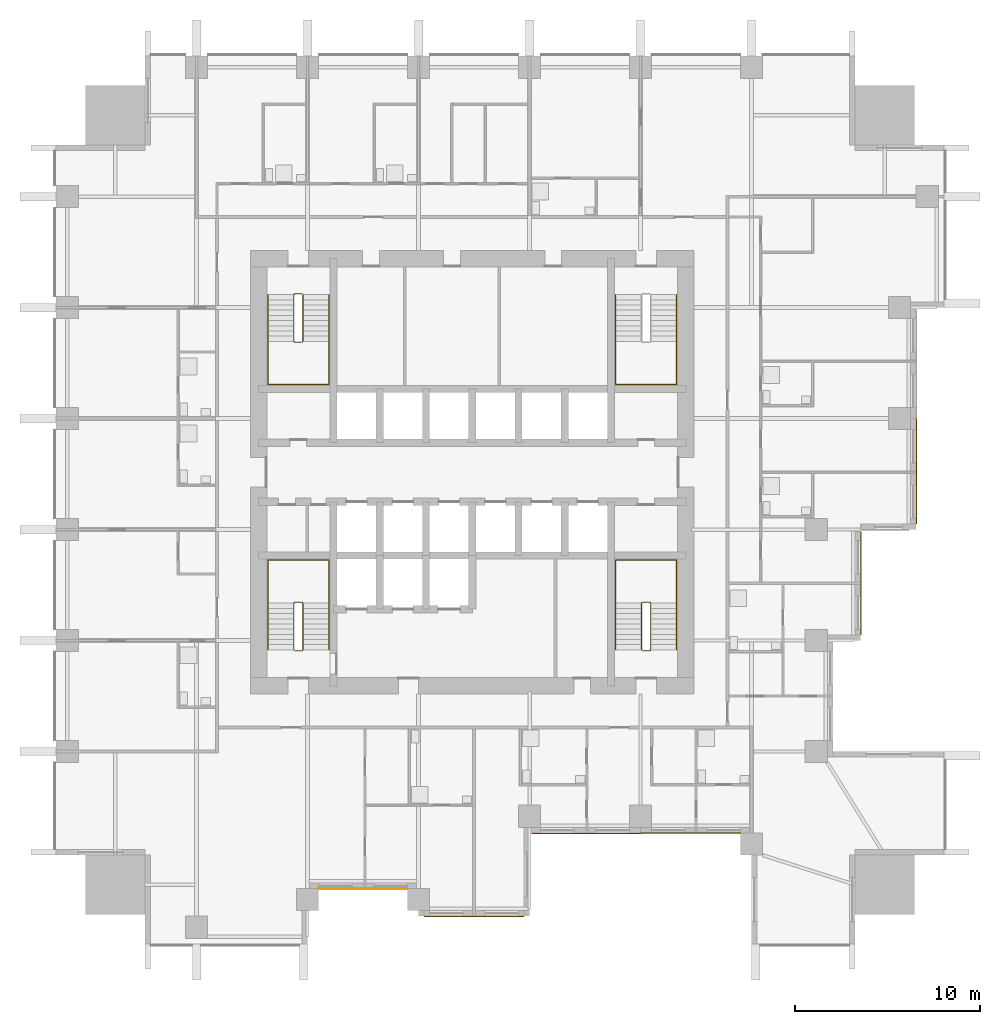
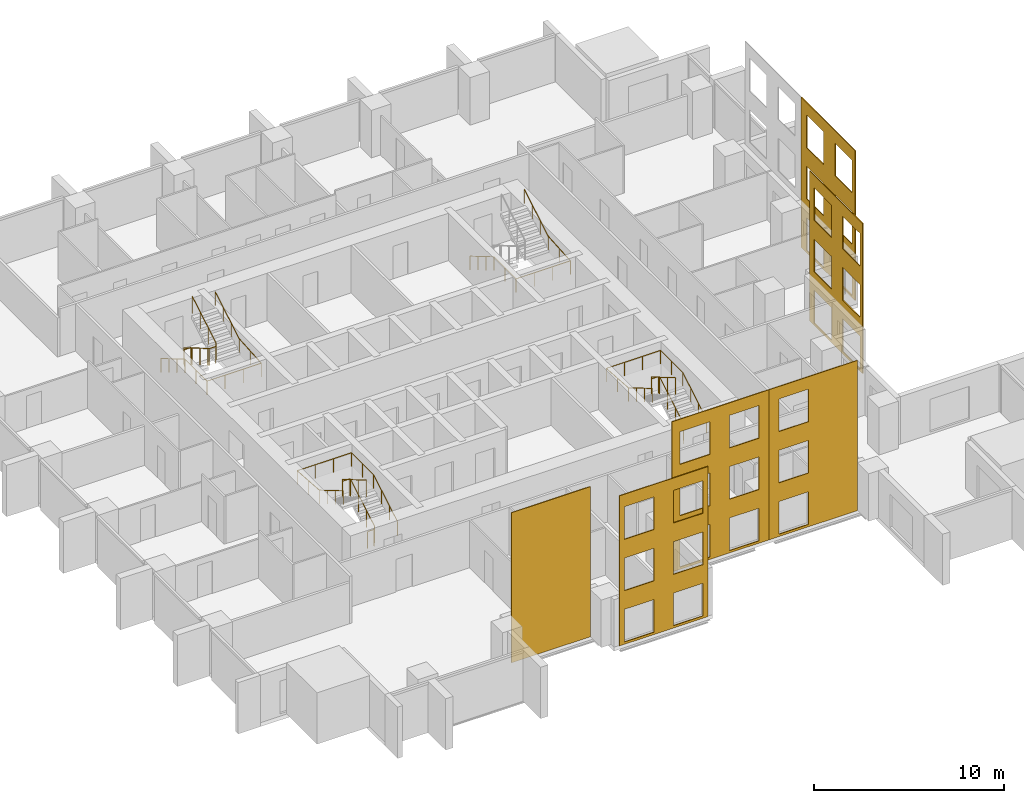
# One storey, part 9 of 11: 7 railings, 6 coverings.
"""IFC4 building model written with IfcOpenShell, lengths in metres."""

from ifc_helpers import new_model, si_unit, direction, frame, origin, origin_2d, place, context, subcontext, project, spatial, polyline, circle, outline, extrude, material, layer, layer_set, type_object, element, save


model = new_model("IFC4")

# Units and contexts
model_context = context("Model", 3, precision=1e-05, world=origin(), true_north=direction((0.0, 1.0)))
body_context = subcontext(model_context, "Body", "Model", "MODEL_VIEW")
ifc_project = project(units=[si_unit("LENGTHUNIT", "METRE"), si_unit("AREAUNIT", "SQUARE_METRE"), si_unit("VOLUMEUNIT", "CUBIC_METRE"), si_unit("PLANEANGLEUNIT", "RADIAN"), si_unit("MASSUNIT", "GRAM", prefix="KILO")], contexts=[model_context])

# Site, building, storey
site_placement = place(None, origin())
site = spatial("IfcSite", under=ifc_project, at=site_placement, CompositionType="ELEMENT")
building_placement = place(site_placement, origin())
building = spatial("IfcBuilding", under=site, at=building_placement, Name="Amberfall Residences", CompositionType="ELEMENT")
storey_placement = place(building_placement, frame((0.0, 0.0, 43.300048828125)))
storey = spatial("IfcBuildingStorey", under=building, at=storey_placement, Name="L11", CompositionType="ELEMENT", Elevation=43.300048828125)

# Coverings
ifc_material_1 = material(Name="Pale limestone cladding", Category="masonry")
ifc_layer = layer(ifc_material_1, 0.050048828125)
ifc_layer_set = layer_set([ifc_layer], Name="Limestone fascia 50")
covering_type = type_object("IfcCoveringType", Name="Limestone fascia 50", PredefinedType="CLADDING", material=ifc_layer_set)
covering_1_placement = place(storey_placement, frame((98.5, 42.699951171875, 9.64990234375), z_axis=(-1.0, 0.0, 0.0), x_axis=(0.0, 1.0, 0.0)))
element("IfcCovering", 1, at=covering_1_placement, inside=storey, type_object=covering_type, Name="Pale limestone cladding L11-L13 E", PredefinedType="CLADDING", context=body_context, shape_type="SweptSolid", body=[
    extrude(outline(polyline([(0.0, 0.0), (5.699951171875, 0.0), (5.699951171875, 9.64990234375), (0.0, 9.64990234375), (0.0, 0.0)]), holes=[polyline([(0.300048828125, 7.39990234375), (2.10009765625, 7.39990234375), (2.10009765625, 9.5), (0.300048828125, 9.5), (0.300048828125, 7.39990234375)]), polyline([(3.300048828125, 7.39990234375), (5.10009765625, 7.39990234375), (5.10009765625, 9.5), (3.300048828125, 9.5), (3.300048828125, 7.39990234375)]), polyline([(0.300048828125, 4.099853515625), (2.10009765625, 4.099853515625), (2.10009765625, 6.199951171875), (0.300048828125, 6.199951171875), (0.300048828125, 4.099853515625)]), polyline([(3.300048828125, 4.099853515625), (5.10009765625, 4.099853515625), (5.10009765625, 6.199951171875), (3.300048828125, 6.199951171875), (3.300048828125, 4.099853515625)]), polyline([(0.300048828125, 0.800048828125), (2.10009765625, 0.800048828125), (2.10009765625, 2.89990234375), (0.300048828125, 2.89990234375), (0.300048828125, 0.800048828125)]), polyline([(3.300048828125, 0.800048828125), (5.10009765625, 0.800048828125), (5.10009765625, 2.89990234375), (3.300048828125, 2.89990234375), (3.300048828125, 0.800048828125)])]), origin(), (0.0, 0.0, -1.0), 0.050048828125),
])
covering_2_placement = place(storey_placement, frame((95.5, 36.699951171875, 9.64990234375), z_axis=(-1.0, 0.0, 0.0), x_axis=(0.0, 1.0, 0.0)))
element("IfcCovering", 2, at=covering_2_placement, inside=storey, type_object=covering_type, Name="Pale limestone cladding L11-L13 E", PredefinedType="CLADDING", context=body_context, shape_type="SweptSolid", body=[
    extrude(outline(polyline([(0.0, 0.0), (5.610107421875, 0.0), (5.610107421875, 9.64990234375), (0.0, 9.64990234375), (0.0, 0.0)]), holes=[polyline([(0.300048828125, 7.39990234375), (2.10009765625, 7.39990234375), (2.10009765625, 9.5), (0.300048828125, 9.5), (0.300048828125, 7.39990234375)]), polyline([(3.300048828125, 7.39990234375), (5.10009765625, 7.39990234375), (5.10009765625, 9.5), (3.300048828125, 9.5), (3.300048828125, 7.39990234375)]), polyline([(0.300048828125, 4.099853515625), (2.10009765625, 4.099853515625), (2.10009765625, 6.199951171875), (0.300048828125, 6.199951171875), (0.300048828125, 4.099853515625)]), polyline([(3.300048828125, 4.099853515625), (5.10009765625, 4.099853515625), (5.10009765625, 6.199951171875), (3.300048828125, 6.199951171875), (3.300048828125, 4.099853515625)]), polyline([(0.300048828125, 0.800048828125), (2.10009765625, 0.800048828125), (2.10009765625, 2.89990234375), (0.300048828125, 2.89990234375), (0.300048828125, 0.800048828125)]), polyline([(3.300048828125, 0.800048828125), (5.10009765625, 0.800048828125), (5.10009765625, 2.89990234375), (3.300048828125, 2.89990234375), (3.300048828125, 0.800048828125)])]), origin(), (0.0, 0.0, -1.0), 0.050048828125),
])
covering_3_placement = place(storey_placement, frame((66.201904296875, 23.0, 9.64990234375), z_axis=(0.0, 1.0, 0.0), x_axis=(1.0, 0.0, 0.0)))
element("IfcCovering", 3, at=covering_3_placement, inside=storey, type_object=covering_type, Name="Pale limestone cladding L11-L13 S", PredefinedType="CLADDING", context=body_context, shape_type="SweptSolid", body=[
    extrude(outline(polyline([(0.0, 0.0), (4.796142578125, 0.0), (4.796142578125, 9.64990234375), (0.0, 9.64990234375), (0.0, 0.0)])), origin(), (0.0, 0.0, -1.0), 0.050048828125),
])
covering_4_placement = place(storey_placement, frame((71.89990234375, 21.5, 9.64990234375), z_axis=(0.0, 1.0, 0.0), x_axis=(1.0, 0.0, 0.0)))
element("IfcCovering", 4, at=covering_4_placement, inside=storey, type_object=covering_type, Name="Pale limestone cladding L11-L13 S", PredefinedType="CLADDING", context=body_context, shape_type="SweptSolid", body=[
    extrude(outline(polyline([(0.0, 0.0), (5.400146484375, 0.0), (5.400146484375, 9.64990234375), (0.0, 9.64990234375), (0.0, 0.0)]), holes=[polyline([(0.300048828125, 7.39990234375), (2.10009765625, 7.39990234375), (2.10009765625, 9.5), (0.300048828125, 9.5), (0.300048828125, 7.39990234375)]), polyline([(3.300048828125, 7.39990234375), (5.10009765625, 7.39990234375), (5.10009765625, 9.5), (3.300048828125, 9.5), (3.300048828125, 7.39990234375)]), polyline([(0.300048828125, 4.099853515625), (2.10009765625, 4.099853515625), (2.10009765625, 6.199951171875), (0.300048828125, 6.199951171875), (0.300048828125, 4.099853515625)]), polyline([(3.300048828125, 4.099853515625), (5.10009765625, 4.099853515625), (5.10009765625, 6.199951171875), (3.300048828125, 6.199951171875), (3.300048828125, 4.099853515625)]), polyline([(0.300048828125, 0.800048828125), (2.10009765625, 0.800048828125), (2.10009765625, 2.89990234375), (0.300048828125, 2.89990234375), (0.300048828125, 0.800048828125)]), polyline([(3.300048828125, 0.800048828125), (5.10009765625, 0.800048828125), (5.10009765625, 2.89990234375), (3.300048828125, 2.89990234375), (3.300048828125, 0.800048828125)])]), origin(), (0.0, 0.0, -1.0), 0.050048828125),
])
covering_5_placement = place(storey_placement, frame((77.68994140625, 26.0, 9.64990234375), z_axis=(0.0, 1.0, 0.0), x_axis=(1.0, 0.0, 0.0)))
element("IfcCovering", 5, at=covering_5_placement, inside=storey, type_object=covering_type, Name="Pale limestone cladding L11-L13 S", PredefinedType="CLADDING", context=body_context, shape_type="SweptSolid", body=[
    extrude(outline(polyline([(0.0, 0.0), (5.91015625, 0.0), (5.91015625, 9.64990234375), (0.0, 9.64990234375), (0.0, 0.0)]), holes=[polyline([(0.510009765625, 7.39990234375), (2.31005859375, 7.39990234375), (2.31005859375, 9.5), (0.510009765625, 9.5), (0.510009765625, 7.39990234375)]), polyline([(3.510009765625, 7.39990234375), (5.31005859375, 7.39990234375), (5.31005859375, 9.5), (3.510009765625, 9.5), (3.510009765625, 7.39990234375)]), polyline([(0.510009765625, 4.099853515625), (2.31005859375, 4.099853515625), (2.31005859375, 6.199951171875), (0.510009765625, 6.199951171875), (0.510009765625, 4.099853515625)]), polyline([(3.510009765625, 4.099853515625), (5.31005859375, 4.099853515625), (5.31005859375, 6.199951171875), (3.510009765625, 6.199951171875), (3.510009765625, 4.099853515625)]), polyline([(0.510009765625, 0.800048828125), (2.31005859375, 0.800048828125), (2.31005859375, 2.89990234375), (0.510009765625, 2.89990234375), (0.510009765625, 0.800048828125)]), polyline([(3.510009765625, 0.800048828125), (5.31005859375, 0.800048828125), (5.31005859375, 2.89990234375), (3.510009765625, 2.89990234375), (3.510009765625, 0.800048828125)])]), origin(), (0.0, 0.0, -1.0), 0.050048828125),
])
covering_6_placement = place(storey_placement, frame((83.60009765625, 26.0, 9.64990234375), z_axis=(0.0, 1.0, 0.0), x_axis=(1.0, 0.0, 0.0)))
element("IfcCovering", 6, at=covering_6_placement, inside=storey, type_object=covering_type, Name="Pale limestone cladding L11-L13 S", PredefinedType="CLADDING", context=body_context, shape_type="SweptSolid", body=[
    extrude(outline(polyline([(0.0, 0.0), (5.39794921875, 0.0), (5.39794921875, 9.64990234375), (0.0, 9.64990234375), (0.0, 0.0)]), holes=[polyline([(0.599853515625, 7.39990234375), (2.39990234375, 7.39990234375), (2.39990234375, 9.5), (0.599853515625, 9.5), (0.599853515625, 7.39990234375)]), polyline([(0.599853515625, 4.099853515625), (2.39990234375, 4.099853515625), (2.39990234375, 6.199951171875), (0.599853515625, 6.199951171875), (0.599853515625, 4.099853515625)]), polyline([(0.599853515625, 0.800048828125), (2.39990234375, 0.800048828125), (2.39990234375, 2.89990234375), (0.599853515625, 2.89990234375), (0.599853515625, 0.800048828125)])]), origin(), (0.0, 0.0, -1.0), 0.050048828125),
])

# Railings
ifc_material_2 = material(Name="Stainless steel 316", Category="steel")
railing_type_1 = type_object("IfcRailingType", Name="Stair guard 1100", PredefinedType="GUARDRAIL", material=ifc_material_2)
railing_1_placement = place(storey_placement, frame((64.89990234375, 35.85009765625, 0.0)))
element("IfcRailing", 7, at=railing_1_placement, inside=storey, type_object=railing_type_1, Name="L11 stair 1 guard", PredefinedType="GUARDRAIL", context=body_context, shape_type="SweptSolid", body=[
    extrude(circle(Radius=0.02392578125, at=origin_2d()), frame((0.0, 0.0, 1.076171875), z_axis=(1.0, 0.0, 0.0), x_axis=(0.0, 1.0, 0.0)), (0.0, 0.0, 1.0), 0.400146484375),
    extrude(circle(Radius=0.02392578125, at=origin_2d()), frame((0.400146484375, 0.0, 1.076171875), z_axis=(0.278810427259, 0.277450376394, 0.919394384522), x_axis=(-0.705375805398, 0.708833529934, 0.0)), (0.0, 0.0, 1.0), 0.179443359375),
    extrude(circle(Radius=0.02392578125, at=origin_2d()), frame((0.4501953125, 0.0498046875, 1.2412109375), z_axis=(0.0, 0.861560626758, 0.507654692109), x_axis=(-1.0, 0.0, 0.0)), (0.0, 0.0, 1.0), 2.925048828125),
    extrude(circle(Radius=0.02392578125, at=origin_2d()), frame((0.4501953125, 2.56982421875, 2.72607421875), z_axis=(-0.707106781187, 0.707106781187, 0.0), x_axis=(-0.707106781187, -0.707106781187, 0.0)), (0.0, 0.0, 1.0), 0.07080078125),
    extrude(circle(Radius=0.02392578125, at=origin_2d()), frame((0.400146484375, 2.619873046875, 2.72607421875), z_axis=(-1.0, 0.0, 0.0), x_axis=(0.0, -1.0, 0.0)), (0.0, 0.0, 1.0), 0.400146484375),
    extrude(circle(Radius=0.02392578125, at=origin_2d()), frame((0.0, 2.619873046875, 2.72607421875), z_axis=(-0.277450376394, -0.278810427259, 0.919394384522), x_axis=(0.708833529934, -0.705375805398, 0.0)), (0.0, 0.0, 1.0), 0.179443359375),
    extrude(circle(Radius=0.02392578125, at=origin_2d()), frame((-0.0498046875, 2.56982421875, 2.89111328125), z_axis=(0.0, -0.86152411907, 0.507716645641), x_axis=(1.0, 0.0, 0.0)), (0.0, 0.0, 1.0), 2.925048828125),
    extrude(circle(Radius=0.02099609375, at=origin_2d()), origin(), (0.0, 0.0, 1.0), 1.052001953125),
    extrude(circle(Radius=0.02099609375, at=origin_2d()), frame((0.400146484375, 0.0, 0.0)), (0.0, 0.0, 1.0), 1.052001953125),
    extrude(circle(Radius=0.02099609375, at=origin_2d()), frame((0.4501953125, 0.0498046875, 0.1650390625)), (0.0, 0.0, 1.0), 1.052001953125),
    extrude(circle(Radius=0.02099609375, at=origin_2d()), frame((0.4501953125, 0.889892578125, 0.659912109375)), (0.0, 0.0, 1.0), 1.052001953125),
    extrude(circle(Radius=0.02099609375, at=origin_2d()), frame((0.4501953125, 1.729736328125, 1.155029296875)), (0.0, 0.0, 1.0), 1.052001953125),
    extrude(circle(Radius=0.02099609375, at=origin_2d()), frame((0.4501953125, 2.56982421875, 1.64990234375)), (0.0, 0.0, 1.0), 1.052001953125),
    extrude(circle(Radius=0.02099609375, at=origin_2d()), frame((0.400146484375, 2.619873046875, 1.64990234375)), (0.0, 0.0, 1.0), 1.052001953125),
    extrude(circle(Radius=0.02099609375, at=origin_2d()), frame((0.0, 2.619873046875, 1.64990234375)), (0.0, 0.0, 1.0), 1.052001953125),
    extrude(circle(Radius=0.02099609375, at=origin_2d()), frame((-0.0498046875, 2.56982421875, 1.81494140625)), (0.0, 0.0, 1.0), 1.052001953125),
    extrude(circle(Radius=0.02099609375, at=origin_2d()), frame((-0.0498046875, 1.729736328125, 2.31005859375)), (0.0, 0.0, 1.0), 1.052001953125),
    extrude(circle(Radius=0.02099609375, at=origin_2d()), frame((-0.0498046875, 0.889892578125, 2.804931640625)), (0.0, 0.0, 1.0), 1.052001953125),
    extrude(circle(Radius=0.02099609375, at=origin_2d()), frame((-0.0498046875, 0.0498046875, 3.300048828125)), (0.0, 0.0, 1.0), 1.052001953125),
])
railing_2_placement = place(storey_placement, frame((83.699951171875, 35.85009765625, 0.0)))
element("IfcRailing", 8, at=railing_2_placement, inside=storey, type_object=railing_type_1, Name="L11 stair 2 guard", PredefinedType="GUARDRAIL", context=body_context, shape_type="SweptSolid", body=[
    extrude(circle(Radius=0.02392578125, at=origin_2d()), frame((0.0, 0.0, 1.076171875), z_axis=(1.0, 0.0, 0.0), x_axis=(0.0, 1.0, 0.0)), (0.0, 0.0, 1.0), 0.400146484375),
    extrude(circle(Radius=0.02392578125, at=origin_2d()), frame((0.400146484375, 0.0, 1.076171875), z_axis=(0.27755538755, 0.27755538755, 0.919742362667), x_axis=(-0.707106781187, 0.707106781187, 0.0)), (0.0, 0.0, 1.0), 0.179443359375),
    extrude(circle(Radius=0.02392578125, at=origin_2d()), frame((0.449951171875, 0.0498046875, 1.2412109375), z_axis=(0.0, 0.861560626758, 0.507654692109), x_axis=(-1.0, 0.0, 0.0)), (0.0, 0.0, 1.0), 2.925048828125),
    extrude(circle(Radius=0.02392578125, at=origin_2d()), frame((0.449951171875, 2.56982421875, 2.72607421875), z_axis=(-0.705375805398, 0.708833529934, 0.0), x_axis=(-0.708833529934, -0.705375805398, 0.0)), (0.0, 0.0, 1.0), 0.070556640625),
    extrude(circle(Radius=0.02392578125, at=origin_2d()), frame((0.400146484375, 2.619873046875, 2.72607421875), z_axis=(-1.0, 0.0, 0.0), x_axis=(0.0, -1.0, 0.0)), (0.0, 0.0, 1.0), 0.400146484375),
    extrude(circle(Radius=0.02392578125, at=origin_2d()), frame((0.0, 2.619873046875, 2.72607421875), z_axis=(-0.278705021027, -0.278705021027, 0.919046801044), x_axis=(0.707106781187, -0.707106781187, 0.0)), (0.0, 0.0, 1.0), 0.1796875),
    extrude(circle(Radius=0.02392578125, at=origin_2d()), frame((-0.050048828125, 2.56982421875, 2.89111328125), z_axis=(0.0, -0.86152411907, 0.507716645641), x_axis=(1.0, 0.0, 0.0)), (0.0, 0.0, 1.0), 2.925048828125),
    extrude(circle(Radius=0.02099609375, at=origin_2d()), origin(), (0.0, 0.0, 1.0), 1.052001953125),
    extrude(circle(Radius=0.02099609375, at=origin_2d()), frame((0.400146484375, 0.0, 0.0)), (0.0, 0.0, 1.0), 1.052001953125),
    extrude(circle(Radius=0.02099609375, at=origin_2d()), frame((0.449951171875, 0.0498046875, 0.1650390625)), (0.0, 0.0, 1.0), 1.052001953125),
    extrude(circle(Radius=0.02099609375, at=origin_2d()), frame((0.449951171875, 0.889892578125, 0.659912109375)), (0.0, 0.0, 1.0), 1.052001953125),
    extrude(circle(Radius=0.02099609375, at=origin_2d()), frame((0.449951171875, 1.729736328125, 1.155029296875)), (0.0, 0.0, 1.0), 1.052001953125),
    extrude(circle(Radius=0.02099609375, at=origin_2d()), frame((0.449951171875, 2.56982421875, 1.64990234375)), (0.0, 0.0, 1.0), 1.052001953125),
    extrude(circle(Radius=0.02099609375, at=origin_2d()), frame((0.400146484375, 2.619873046875, 1.64990234375)), (0.0, 0.0, 1.0), 1.052001953125),
    extrude(circle(Radius=0.02099609375, at=origin_2d()), frame((0.0, 2.619873046875, 1.64990234375)), (0.0, 0.0, 1.0), 1.052001953125),
    extrude(circle(Radius=0.02099609375, at=origin_2d()), frame((-0.050048828125, 2.56982421875, 1.81494140625)), (0.0, 0.0, 1.0), 1.052001953125),
    extrude(circle(Radius=0.02099609375, at=origin_2d()), frame((-0.050048828125, 1.729736328125, 2.31005859375)), (0.0, 0.0, 1.0), 1.052001953125),
    extrude(circle(Radius=0.02099609375, at=origin_2d()), frame((-0.050048828125, 0.889892578125, 2.804931640625)), (0.0, 0.0, 1.0), 1.052001953125),
    extrude(circle(Radius=0.02099609375, at=origin_2d()), frame((-0.050048828125, 0.0498046875, 3.300048828125)), (0.0, 0.0, 1.0), 1.052001953125),
])
railing_3_placement = place(storey_placement, frame((65.300048828125, 55.14990234375, 0.0)))
element("IfcRailing", 9, at=railing_3_placement, inside=storey, type_object=railing_type_1, Name="L11 stair 4 guard", PredefinedType="GUARDRAIL", context=body_context, shape_type="SweptSolid", body=[
    extrude(circle(Radius=0.02392578125, at=origin_2d()), frame((0.0, 0.0, 1.076171875), z_axis=(-1.0, 0.0, 0.0), x_axis=(0.0, -1.0, 0.0)), (0.0, 0.0, 1.0), 0.400146484375),
    extrude(circle(Radius=0.02392578125, at=origin_2d()), frame((-0.400146484375, 0.0, 1.076171875), z_axis=(-0.27755538755, -0.27755538755, 0.919742362667), x_axis=(0.707106781187, -0.707106781187, 0.0)), (0.0, 0.0, 1.0), 0.179443359375),
    extrude(circle(Radius=0.02392578125, at=origin_2d()), frame((-0.449951171875, -0.0498046875, 1.2412109375), z_axis=(0.0, -0.861560626758, 0.507654692109), x_axis=(1.0, 0.0, 0.0)), (0.0, 0.0, 1.0), 2.925048828125),
    extrude(circle(Radius=0.02392578125, at=origin_2d()), frame((-0.449951171875, -2.56982421875, 2.72607421875), z_axis=(0.705375805398, -0.708833529934, 0.0), x_axis=(0.708833529934, 0.705375805398, 0.0)), (0.0, 0.0, 1.0), 0.070556640625),
    extrude(circle(Radius=0.02392578125, at=origin_2d()), frame((-0.400146484375, -2.619873046875, 2.72607421875), z_axis=(1.0, 0.0, 0.0), x_axis=(0.0, 1.0, 0.0)), (0.0, 0.0, 1.0), 0.400146484375),
    extrude(circle(Radius=0.02392578125, at=origin_2d()), frame((0.0, -2.619873046875, 2.72607421875), z_axis=(0.278705021027, 0.278705021027, 0.919046801044), x_axis=(-0.707106781187, 0.707106781187, 0.0)), (0.0, 0.0, 1.0), 0.1796875),
    extrude(circle(Radius=0.02392578125, at=origin_2d()), frame((0.050048828125, -2.56982421875, 2.89111328125), z_axis=(0.0, 0.86152411907, 0.507716645641), x_axis=(-1.0, 0.0, 0.0)), (0.0, 0.0, 1.0), 2.925048828125),
    extrude(circle(Radius=0.02099609375, at=origin_2d()), origin(), (0.0, 0.0, 1.0), 1.052001953125),
    extrude(circle(Radius=0.02099609375, at=origin_2d()), frame((-0.400146484375, 0.0, 0.0)), (0.0, 0.0, 1.0), 1.052001953125),
    extrude(circle(Radius=0.02099609375, at=origin_2d()), frame((-0.449951171875, -0.0498046875, 0.1650390625)), (0.0, 0.0, 1.0), 1.052001953125),
    extrude(circle(Radius=0.02099609375, at=origin_2d()), frame((-0.449951171875, -0.889892578125, 0.659912109375)), (0.0, 0.0, 1.0), 1.052001953125),
    extrude(circle(Radius=0.02099609375, at=origin_2d()), frame((-0.449951171875, -1.729736328125, 1.155029296875)), (0.0, 0.0, 1.0), 1.052001953125),
    extrude(circle(Radius=0.02099609375, at=origin_2d()), frame((-0.449951171875, -2.56982421875, 1.64990234375)), (0.0, 0.0, 1.0), 1.052001953125),
    extrude(circle(Radius=0.02099609375, at=origin_2d()), frame((-0.400146484375, -2.619873046875, 1.64990234375)), (0.0, 0.0, 1.0), 1.052001953125),
    extrude(circle(Radius=0.02099609375, at=origin_2d()), frame((0.0, -2.619873046875, 1.64990234375)), (0.0, 0.0, 1.0), 1.052001953125),
    extrude(circle(Radius=0.02099609375, at=origin_2d()), frame((0.050048828125, -2.56982421875, 1.81494140625)), (0.0, 0.0, 1.0), 1.052001953125),
    extrude(circle(Radius=0.02099609375, at=origin_2d()), frame((0.050048828125, -1.729736328125, 2.31005859375)), (0.0, 0.0, 1.0), 1.052001953125),
    extrude(circle(Radius=0.02099609375, at=origin_2d()), frame((0.050048828125, -0.889892578125, 2.804931640625)), (0.0, 0.0, 1.0), 1.052001953125),
    extrude(circle(Radius=0.02099609375, at=origin_2d()), frame((0.050048828125, -0.0498046875, 3.300048828125)), (0.0, 0.0, 1.0), 1.052001953125),
])
railing_type_2 = type_object("IfcRailingType", Name="Stair handrail 900", PredefinedType="HANDRAIL", material=ifc_material_2)
railing_4_placement = place(storey_placement, frame((66.75, 35.89990234375, 0.1650390625)))
element("IfcRailing", 10, at=railing_4_placement, inside=storey, type_object=railing_type_2, Name="L11 stair 1 handrail", PredefinedType="HANDRAIL", context=body_context, shape_type="SweptSolid", body=[
    extrude(circle(Radius=0.02392578125, at=origin_2d()), frame((0.0, 0.0, 0.8759765625), z_axis=(0.0, 0.861560626758, 0.507654692109), x_axis=(-1.0, 0.0, 0.0)), (0.0, 0.0, 1.0), 2.925048828125),
    extrude(circle(Radius=0.02392578125, at=origin_2d()), frame((0.0, 2.52001953125, 2.36083984375), z_axis=(0.0, 1.0, 0.0), x_axis=(-1.0, 0.0, 0.0)), (0.0, 0.0, 1.0), 2.330078125),
    extrude(circle(Radius=0.02392578125, at=origin_2d()), frame((0.0, 4.85009765625, 2.36083984375), z_axis=(-1.0, 0.0, 0.0), x_axis=(0.0, -1.0, 0.0)), (0.0, 0.0, 1.0), 3.300048828125),
    extrude(circle(Radius=0.02392578125, at=origin_2d()), frame((-3.300048828125, 4.85009765625, 2.36083984375), z_axis=(0.0, -0.997500965899, 0.07065283455), x_axis=(1.0, 0.0, 0.0)), (0.0, 0.0, 1.0), 2.3359375),
    extrude(circle(Radius=0.02392578125, at=origin_2d()), frame((-3.300048828125, 2.52001953125, 2.52587890625), z_axis=(0.0, -0.86152411907, 0.507716645641), x_axis=(1.0, 0.0, 0.0)), (0.0, 0.0, 1.0), 2.925048828125),
    extrude(circle(Radius=0.02099609375, at=origin_2d()), origin(), (0.0, 0.0, 1.0), 0.851806640625),
    extrude(circle(Radius=0.02099609375, at=origin_2d()), frame((0.0, 0.840087890625, 0.494873046875)), (0.0, 0.0, 1.0), 0.851806640625),
    extrude(circle(Radius=0.02099609375, at=origin_2d()), frame((0.0, 1.679931640625, 0.989990234375)), (0.0, 0.0, 1.0), 0.851806640625),
    extrude(circle(Radius=0.02099609375, at=origin_2d()), frame((0.0, 2.52001953125, 1.48486328125)), (0.0, 0.0, 1.0), 0.851806640625),
    extrude(circle(Radius=0.02099609375, at=origin_2d()), frame((0.0, 3.68505859375, 1.48486328125)), (0.0, 0.0, 1.0), 0.851806640625),
    extrude(circle(Radius=0.02099609375, at=origin_2d()), frame((0.0, 4.85009765625, 1.48486328125)), (0.0, 0.0, 1.0), 0.851806640625),
    extrude(circle(Radius=0.02099609375, at=origin_2d()), frame((-1.10009765625, 4.85009765625, 1.48486328125)), (0.0, 0.0, 1.0), 0.851806640625),
    extrude(circle(Radius=0.02099609375, at=origin_2d()), frame((-2.199951171875, 4.85009765625, 1.48486328125)), (0.0, 0.0, 1.0), 0.851806640625),
    extrude(circle(Radius=0.02099609375, at=origin_2d()), frame((-3.300048828125, 4.85009765625, 1.48486328125)), (0.0, 0.0, 1.0), 0.851806640625),
    extrude(circle(Radius=0.02099609375, at=origin_2d()), frame((-3.300048828125, 3.68505859375, 1.5673828125)), (0.0, 0.0, 1.0), 0.851806640625),
    extrude(circle(Radius=0.02099609375, at=origin_2d()), frame((-3.300048828125, 2.52001953125, 1.64990234375)), (0.0, 0.0, 1.0), 0.851806640625),
    extrude(circle(Radius=0.02099609375, at=origin_2d()), frame((-3.300048828125, 1.679931640625, 2.14501953125)), (0.0, 0.0, 1.0), 0.851806640625),
    extrude(circle(Radius=0.02099609375, at=origin_2d()), frame((-3.300048828125, 0.840087890625, 2.639892578125)), (0.0, 0.0, 1.0), 0.851806640625),
    extrude(circle(Radius=0.02099609375, at=origin_2d()), frame((-3.300048828125, 0.0, 3.135009765625)), (0.0, 0.0, 1.0), 0.851806640625),
])
railing_5_placement = place(storey_placement, frame((85.550048828125, 35.89990234375, 0.1650390625)))
element("IfcRailing", 11, at=railing_5_placement, inside=storey, type_object=railing_type_2, Name="L11 stair 2 handrail", PredefinedType="HANDRAIL", context=body_context, shape_type="SweptSolid", body=[
    extrude(circle(Radius=0.02392578125, at=origin_2d()), frame((0.0, 0.0, 0.8759765625), z_axis=(0.0, 0.861560626758, 0.507654692109), x_axis=(-1.0, 0.0, 0.0)), (0.0, 0.0, 1.0), 2.925048828125),
    extrude(circle(Radius=0.02392578125, at=origin_2d()), frame((0.0, 2.52001953125, 2.36083984375), z_axis=(0.0, 1.0, 0.0), x_axis=(-1.0, 0.0, 0.0)), (0.0, 0.0, 1.0), 2.330078125),
    extrude(circle(Radius=0.02392578125, at=origin_2d()), frame((0.0, 4.85009765625, 2.36083984375), z_axis=(-1.0, 0.0, 0.0), x_axis=(0.0, -1.0, 0.0)), (0.0, 0.0, 1.0), 3.300048828125),
    extrude(circle(Radius=0.02392578125, at=origin_2d()), frame((-3.300048828125, 4.85009765625, 2.36083984375), z_axis=(0.0, -0.997500965899, 0.07065283455), x_axis=(1.0, 0.0, 0.0)), (0.0, 0.0, 1.0), 2.3359375),
    extrude(circle(Radius=0.02392578125, at=origin_2d()), frame((-3.300048828125, 2.52001953125, 2.52587890625), z_axis=(0.0, -0.86152411907, 0.507716645641), x_axis=(1.0, 0.0, 0.0)), (0.0, 0.0, 1.0), 2.925048828125),
    extrude(circle(Radius=0.02099609375, at=origin_2d()), origin(), (0.0, 0.0, 1.0), 0.851806640625),
    extrude(circle(Radius=0.02099609375, at=origin_2d()), frame((0.0, 0.840087890625, 0.494873046875)), (0.0, 0.0, 1.0), 0.851806640625),
    extrude(circle(Radius=0.02099609375, at=origin_2d()), frame((0.0, 1.679931640625, 0.989990234375)), (0.0, 0.0, 1.0), 0.851806640625),
    extrude(circle(Radius=0.02099609375, at=origin_2d()), frame((0.0, 2.52001953125, 1.48486328125)), (0.0, 0.0, 1.0), 0.851806640625),
    extrude(circle(Radius=0.02099609375, at=origin_2d()), frame((0.0, 3.68505859375, 1.48486328125)), (0.0, 0.0, 1.0), 0.851806640625),
    extrude(circle(Radius=0.02099609375, at=origin_2d()), frame((0.0, 4.85009765625, 1.48486328125)), (0.0, 0.0, 1.0), 0.851806640625),
    extrude(circle(Radius=0.02099609375, at=origin_2d()), frame((-1.10009765625, 4.85009765625, 1.48486328125)), (0.0, 0.0, 1.0), 0.851806640625),
    extrude(circle(Radius=0.02099609375, at=origin_2d()), frame((-2.199951171875, 4.85009765625, 1.48486328125)), (0.0, 0.0, 1.0), 0.851806640625),
    extrude(circle(Radius=0.02099609375, at=origin_2d()), frame((-3.300048828125, 4.85009765625, 1.48486328125)), (0.0, 0.0, 1.0), 0.851806640625),
    extrude(circle(Radius=0.02099609375, at=origin_2d()), frame((-3.300048828125, 3.68505859375, 1.5673828125)), (0.0, 0.0, 1.0), 0.851806640625),
    extrude(circle(Radius=0.02099609375, at=origin_2d()), frame((-3.300048828125, 2.52001953125, 1.64990234375)), (0.0, 0.0, 1.0), 0.851806640625),
    extrude(circle(Radius=0.02099609375, at=origin_2d()), frame((-3.300048828125, 1.679931640625, 2.14501953125)), (0.0, 0.0, 1.0), 0.851806640625),
    extrude(circle(Radius=0.02099609375, at=origin_2d()), frame((-3.300048828125, 0.840087890625, 2.639892578125)), (0.0, 0.0, 1.0), 0.851806640625),
    extrude(circle(Radius=0.02099609375, at=origin_2d()), frame((-3.300048828125, 0.0, 3.135009765625)), (0.0, 0.0, 1.0), 0.851806640625),
])
railing_6_placement = place(storey_placement, frame((82.25, 55.10009765625, 0.1650390625)))
element("IfcRailing", 12, at=railing_6_placement, inside=storey, type_object=railing_type_2, Name="L11 stair 3 handrail", PredefinedType="HANDRAIL", context=body_context, shape_type="SweptSolid", body=[
    extrude(circle(Radius=0.02392578125, at=origin_2d()), frame((0.0, 0.0, 0.8759765625), z_axis=(0.0, -0.861560626758, 0.507654692109), x_axis=(1.0, 0.0, 0.0)), (0.0, 0.0, 1.0), 2.925048828125),
    extrude(circle(Radius=0.02392578125, at=origin_2d()), frame((0.0, -2.52001953125, 2.36083984375), z_axis=(0.0, -1.0, 0.0), x_axis=(1.0, 0.0, 0.0)), (0.0, 0.0, 1.0), 2.330078125),
    extrude(circle(Radius=0.02392578125, at=origin_2d()), frame((0.0, -4.85009765625, 2.36083984375), z_axis=(1.0, 0.0, 0.0), x_axis=(0.0, 1.0, 0.0)), (0.0, 0.0, 1.0), 3.300048828125),
    extrude(circle(Radius=0.02392578125, at=origin_2d()), frame((3.300048828125, -4.85009765625, 2.36083984375), z_axis=(0.0, 0.997500965899, 0.07065283455), x_axis=(-1.0, 0.0, 0.0)), (0.0, 0.0, 1.0), 2.3359375),
    extrude(circle(Radius=0.02392578125, at=origin_2d()), frame((3.300048828125, -2.52001953125, 2.52587890625), z_axis=(0.0, 0.86152411907, 0.507716645641), x_axis=(-1.0, 0.0, 0.0)), (0.0, 0.0, 1.0), 2.925048828125),
    extrude(circle(Radius=0.02099609375, at=origin_2d()), origin(), (0.0, 0.0, 1.0), 0.851806640625),
    extrude(circle(Radius=0.02099609375, at=origin_2d()), frame((0.0, -0.840087890625, 0.494873046875)), (0.0, 0.0, 1.0), 0.851806640625),
    extrude(circle(Radius=0.02099609375, at=origin_2d()), frame((0.0, -1.679931640625, 0.989990234375)), (0.0, 0.0, 1.0), 0.851806640625),
    extrude(circle(Radius=0.02099609375, at=origin_2d()), frame((0.0, -2.52001953125, 1.48486328125)), (0.0, 0.0, 1.0), 0.851806640625),
    extrude(circle(Radius=0.02099609375, at=origin_2d()), frame((0.0, -3.68505859375, 1.48486328125)), (0.0, 0.0, 1.0), 0.851806640625),
    extrude(circle(Radius=0.02099609375, at=origin_2d()), frame((0.0, -4.85009765625, 1.48486328125)), (0.0, 0.0, 1.0), 0.851806640625),
    extrude(circle(Radius=0.02099609375, at=origin_2d()), frame((1.10009765625, -4.85009765625, 1.48486328125)), (0.0, 0.0, 1.0), 0.851806640625),
    extrude(circle(Radius=0.02099609375, at=origin_2d()), frame((2.199951171875, -4.85009765625, 1.48486328125)), (0.0, 0.0, 1.0), 0.851806640625),
    extrude(circle(Radius=0.02099609375, at=origin_2d()), frame((3.300048828125, -4.85009765625, 1.48486328125)), (0.0, 0.0, 1.0), 0.851806640625),
    extrude(circle(Radius=0.02099609375, at=origin_2d()), frame((3.300048828125, -3.68505859375, 1.5673828125)), (0.0, 0.0, 1.0), 0.851806640625),
    extrude(circle(Radius=0.02099609375, at=origin_2d()), frame((3.300048828125, -2.52001953125, 1.64990234375)), (0.0, 0.0, 1.0), 0.851806640625),
    extrude(circle(Radius=0.02099609375, at=origin_2d()), frame((3.300048828125, -1.679931640625, 2.14501953125)), (0.0, 0.0, 1.0), 0.851806640625),
    extrude(circle(Radius=0.02099609375, at=origin_2d()), frame((3.300048828125, -0.840087890625, 2.639892578125)), (0.0, 0.0, 1.0), 0.851806640625),
    extrude(circle(Radius=0.02099609375, at=origin_2d()), frame((3.300048828125, 0.0, 3.135009765625)), (0.0, 0.0, 1.0), 0.851806640625),
])
railing_7_placement = place(storey_placement, frame((63.449951171875, 55.10009765625, 0.1650390625)))
element("IfcRailing", 13, at=railing_7_placement, inside=storey, type_object=railing_type_2, Name="L11 stair 4 handrail", PredefinedType="HANDRAIL", context=body_context, shape_type="SweptSolid", body=[
    extrude(circle(Radius=0.02392578125, at=origin_2d()), frame((0.0, 0.0, 0.8759765625), z_axis=(0.0, -0.861560626758, 0.507654692109), x_axis=(1.0, 0.0, 0.0)), (0.0, 0.0, 1.0), 2.925048828125),
    extrude(circle(Radius=0.02392578125, at=origin_2d()), frame((0.0, -2.52001953125, 2.36083984375), z_axis=(0.0, -1.0, 0.0), x_axis=(1.0, 0.0, 0.0)), (0.0, 0.0, 1.0), 2.330078125),
    extrude(circle(Radius=0.02392578125, at=origin_2d()), frame((0.0, -4.85009765625, 2.36083984375), z_axis=(1.0, 0.0, 0.0), x_axis=(0.0, 1.0, 0.0)), (0.0, 0.0, 1.0), 3.300048828125),
    extrude(circle(Radius=0.02392578125, at=origin_2d()), frame((3.300048828125, -4.85009765625, 2.36083984375), z_axis=(0.0, 0.997500965899, 0.07065283455), x_axis=(-1.0, 0.0, 0.0)), (0.0, 0.0, 1.0), 2.3359375),
    extrude(circle(Radius=0.02392578125, at=origin_2d()), frame((3.300048828125, -2.52001953125, 2.52587890625), z_axis=(0.0, 0.86152411907, 0.507716645641), x_axis=(-1.0, 0.0, 0.0)), (0.0, 0.0, 1.0), 2.925048828125),
    extrude(circle(Radius=0.02099609375, at=origin_2d()), origin(), (0.0, 0.0, 1.0), 0.851806640625),
    extrude(circle(Radius=0.02099609375, at=origin_2d()), frame((0.0, -0.840087890625, 0.494873046875)), (0.0, 0.0, 1.0), 0.851806640625),
    extrude(circle(Radius=0.02099609375, at=origin_2d()), frame((0.0, -1.679931640625, 0.989990234375)), (0.0, 0.0, 1.0), 0.851806640625),
    extrude(circle(Radius=0.02099609375, at=origin_2d()), frame((0.0, -2.52001953125, 1.48486328125)), (0.0, 0.0, 1.0), 0.851806640625),
    extrude(circle(Radius=0.02099609375, at=origin_2d()), frame((0.0, -3.68505859375, 1.48486328125)), (0.0, 0.0, 1.0), 0.851806640625),
    extrude(circle(Radius=0.02099609375, at=origin_2d()), frame((0.0, -4.85009765625, 1.48486328125)), (0.0, 0.0, 1.0), 0.851806640625),
    extrude(circle(Radius=0.02099609375, at=origin_2d()), frame((1.10009765625, -4.85009765625, 1.48486328125)), (0.0, 0.0, 1.0), 0.851806640625),
    extrude(circle(Radius=0.02099609375, at=origin_2d()), frame((2.199951171875, -4.85009765625, 1.48486328125)), (0.0, 0.0, 1.0), 0.851806640625),
    extrude(circle(Radius=0.02099609375, at=origin_2d()), frame((3.300048828125, -4.85009765625, 1.48486328125)), (0.0, 0.0, 1.0), 0.851806640625),
    extrude(circle(Radius=0.02099609375, at=origin_2d()), frame((3.300048828125, -3.68505859375, 1.5673828125)), (0.0, 0.0, 1.0), 0.851806640625),
    extrude(circle(Radius=0.02099609375, at=origin_2d()), frame((3.300048828125, -2.52001953125, 1.64990234375)), (0.0, 0.0, 1.0), 0.851806640625),
    extrude(circle(Radius=0.02099609375, at=origin_2d()), frame((3.300048828125, -1.679931640625, 2.14501953125)), (0.0, 0.0, 1.0), 0.851806640625),
    extrude(circle(Radius=0.02099609375, at=origin_2d()), frame((3.300048828125, -0.840087890625, 2.639892578125)), (0.0, 0.0, 1.0), 0.851806640625),
    extrude(circle(Radius=0.02099609375, at=origin_2d()), frame((3.300048828125, 0.0, 3.135009765625)), (0.0, 0.0, 1.0), 0.851806640625),
])

save(model, "model.ifc")
